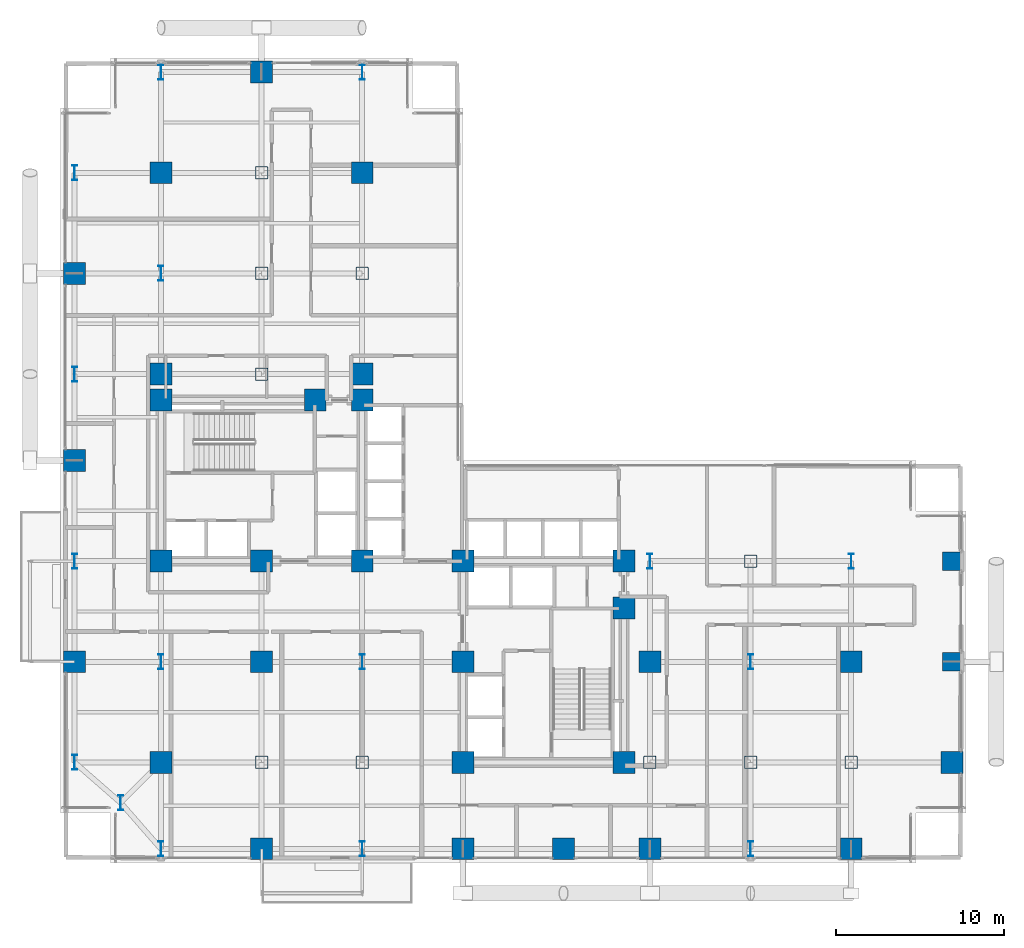
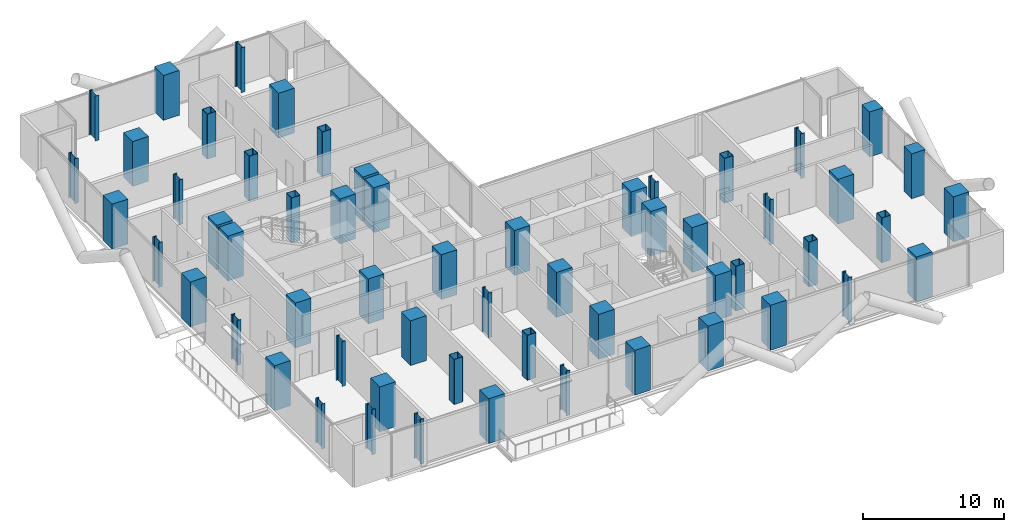
# One storey, part 1 of 25: 58 columns.
"""IFC4 building model written with IfcOpenShell, lengths in metres."""

import ifcopenshell
import ifcopenshell.guid

model = None  # the IFC model being written
_history = None  # IfcOwnerHistory: only IFC2X3 demands one
_inside = {}  # id of a spatial element -> (the spatial element, [elements in it])
_under = {}  # id of a project, library or spatial element -> (it, [spatial elements below it])
_declared = {}  # id of a project -> (the project, [libraries it declares])
_typed = {}  # id of a type object -> (the type object, [elements of that type])
_made_of = {}  # id of a material, layer set ... -> (it, [elements and type objects made of it])


def new_model(schema):
    """Start an empty IFC model of exactly this schema.

    Asked for "IFC4X3", IfcOpenShell would pick the latest addendum, in which some entities
    have other attributes; the version numbers below select the first issue.
    IFC2X3 requires an IfcOwnerHistory on every rooted entity: one is made here for all.
    """
    global model, _history
    if schema == "IFC4X3":
        model = ifcopenshell.file(schema_version=(4, 3, 0, 0))
    else:
        model = ifcopenshell.file(schema=schema)
    _inside.clear()
    _under.clear()
    _declared.clear()
    _typed.clear()
    _made_of.clear()
    _history = None
    if model.schema == "IFC2X3":
        org = make("IfcOrganization", Name="unknown")
        user = make(
            "IfcPersonAndOrganization",
            ThePerson=make("IfcPerson", FamilyName="unknown"),
            TheOrganization=org,
        )
        app = make(
            "IfcApplication",
            ApplicationDeveloper=org,
            Version="unknown",
            ApplicationFullName="unknown",
            ApplicationIdentifier="unknown",
        )
        _history = make(
            "IfcOwnerHistory",
            OwningUser=user,
            OwningApplication=app,
            ChangeAction="ADDED",
            CreationDate=0,
        )
    return model


def make(cls, **values):
    """One entity of the class cls with the attributes given. An attribute that is None is left unset."""
    return model.create_entity(
        cls, **{name: value for name, value in values.items() if value is not None}
    )


def rooted(cls, **values):
    """An entity with a GlobalId (a new one), such as an element, a storey or a relation."""
    return make(cls, GlobalId=ifcopenshell.guid.new(), OwnerHistory=_history, **values)


def si_unit(unit_type, name, prefix=None):
    """IfcSIUnit, for example si_unit("LENGTHUNIT", "METRE", prefix="MILLI")."""
    return make("IfcSIUnit", UnitType=unit_type, Prefix=prefix, Name=name)


def assignment(units):
    """IfcUnitAssignment: the units of a project."""
    return None if units is None else make("IfcUnitAssignment", Units=units)


def point(xyz):
    """IfcCartesianPoint."""
    return None if xyz is None else make("IfcCartesianPoint", Coordinates=xyz)


def direction(xyz):
    """IfcDirection."""
    return None if xyz is None else make("IfcDirection", DirectionRatios=xyz)


def frame(location, z_axis=None, x_axis=None):
    """IfcAxis2Placement3D, a coordinate frame: its origin and axes. An axis left out is left unset."""
    return make(
        "IfcAxis2Placement3D",
        Location=point(location),
        Axis=direction(z_axis),
        RefDirection=direction(x_axis),
    )


def frame_2d(location, x_axis=None):
    """IfcAxis2Placement2D, a coordinate frame in the plane: its origin and x axis."""
    return make(
        "IfcAxis2Placement2D", Location=point(location), RefDirection=direction(x_axis)
    )


def origin():
    """The frame at (0, 0, 0) with its axes left unset."""
    return frame((0.0, 0.0, 0.0))


def origin_2d():
    """The frame at (0, 0) in the plane with its x axis left unset."""
    return frame_2d((0.0, 0.0))


def place(relative_to, where):
    """IfcLocalPlacement: puts the frame where relative to a parent placement (None: the world)."""
    return make(
        "IfcLocalPlacement", PlacementRelTo=relative_to, RelativePlacement=where
    )


def context(
    kind, dimensions, precision=None, world=None, true_north=None, identifier=None
):
    """IfcGeometricRepresentationContext, for example the 3D "Model" context."""
    return make(
        "IfcGeometricRepresentationContext",
        ContextIdentifier=identifier,
        ContextType=kind,
        CoordinateSpaceDimension=dimensions,
        Precision=precision,
        WorldCoordinateSystem=world,
        TrueNorth=true_north,
    )


def subcontext(parent, identifier, kind, view, scale=None):
    """IfcGeometricRepresentationSubContext, for example "Body" below "Model"."""
    return make(
        "IfcGeometricRepresentationSubContext",
        ContextIdentifier=identifier,
        ContextType=kind,
        ParentContext=parent,
        TargetScale=scale,
        TargetView=view,
    )


def project(units=None, contexts=None):
    """IfcProject with its units and contexts."""
    return rooted(
        "IfcProject",
        Name="project",
        RepresentationContexts=contexts,
        UnitsInContext=assignment(units),
    )


def spatial(cls, under=None, at=None, **own):
    """A site, building, storey or space (cls), placed at a placement, below another one or the project."""
    s = rooted(cls, ObjectPlacement=at, **own)
    if under is not None:
        _under.setdefault(under.id(), (under, []))[1].append(s)
    return s


def profile(cls, at=None, kind="AREA", **sizes):
    """A parametric profile (cls). Its sizes go by their IFC names, for example OverallWidth=200.0."""
    return make(cls, ProfileType=kind, Position=at, **sizes)


def rectangle(**sizes):
    """IfcRectangleProfileDef."""
    return profile("IfcRectangleProfileDef", **sizes)


def hollow_rectangle(**sizes):
    """IfcRectangleHollowProfileDef."""
    return profile("IfcRectangleHollowProfileDef", **sizes)


def i_section(**sizes):
    """IfcIShapeProfileDef."""
    return profile("IfcIShapeProfileDef", **sizes)


def extrude(swept, where, along, depth):
    """IfcExtrudedAreaSolid: the profile swept, set in the frame where, extruded along a direction by depth."""
    return make(
        "IfcExtrudedAreaSolid",
        SweptArea=swept,
        Position=where,
        ExtrudedDirection=direction(along),
        Depth=depth,
    )


def shape(context_of_items, identifier, shape_type, items):
    """IfcShapeRepresentation: the items that make up one representation, for example the "Body"."""
    return make(
        "IfcShapeRepresentation",
        ContextOfItems=context_of_items,
        RepresentationIdentifier=identifier,
        RepresentationType=shape_type,
        Items=items,
    )


def material(Name=None, Category=None):
    """IfcMaterial."""
    return make("IfcMaterial", Name=Name, Category=Category)


def material_profile(
    of_material, cross_section, Name=None, Category=None, Priority=None
):
    """IfcMaterialProfile: a cross section and its material."""
    return make(
        "IfcMaterialProfile",
        Name=Name,
        Material=of_material,
        Profile=cross_section,
        Priority=Priority,
        Category=Category,
    )


def profile_set(profiles, Name=None, composite=None):
    """IfcMaterialProfileSet."""
    return make(
        "IfcMaterialProfileSet",
        Name=Name,
        MaterialProfiles=profiles,
        CompositeProfile=composite,
    )


def made_of(thing, what):
    """Note that an element or type object is made of a material, layer set ...; save() writes the relation."""
    if what is not None:
        _made_of.setdefault(what.id(), (what, []))[1].append(thing)
    return thing


def type_object(cls, material=None, **own):
    """A type object (cls), such as IfcWallType, which elements share."""
    return made_of(rooted(cls, **own), material)


def element(
    cls,
    number,
    at=None,
    inside=None,
    cuts=None,
    type_object=None,
    material=None,
    context=None,
    identifier="Body",
    shape_type=None,
    held_by="IfcProductDefinitionShape",
    body=None,
    shapes=None,
    **own,
):
    """One element of the class cls, such as IfcWall. Its Tag is "e" and its number.

    at: its placement. inside: the storey or other place that contains it. cuts: it is an
    opening in that element (IfcRelVoidsElement). A single representation is given by context,
    identifier, shape_type and body (its items); several are given by shapes. held_by: the class
    of the entity that holds the representations. save() writes the other relations.
    """
    e = rooted(cls, Tag="e%d" % number, ObjectPlacement=at, **own)
    if body is not None:
        shapes = [shape(context, identifier, shape_type, body)]
    if shapes is not None:
        e.Representation = make(held_by, Representations=shapes)
    if inside is not None:
        _inside.setdefault(inside.id(), (inside, []))[1].append(e)
    if cuts is not None:
        rooted(
            "IfcRelVoidsElement", RelatingBuildingElement=cuts, RelatedOpeningElement=e
        )
    if type_object is not None:
        _typed.setdefault(type_object.id(), (type_object, []))[1].append(e)
    return made_of(e, material)


def aggregate(whole, parts):
    """IfcRelAggregates: a whole, such as a stair, and the parts it consists of."""
    return rooted("IfcRelAggregates", RelatingObject=whole, RelatedObjects=parts)


def save(model, path):
    """Write the relations noted so far, then the file.

    IfcRelAggregates (storeys below a building ...), IfcRelContainedInSpatialStructure (elements
    in a storey), IfcRelDefinesByType, IfcRelAssociatesMaterial and IfcRelDeclares: one each for
    every whole, place, type object, material and project.
    """
    for whole, parts in _under.values():
        aggregate(whole, parts)
    for where, things in _inside.values():
        rooted(
            "IfcRelContainedInSpatialStructure",
            RelatedElements=things,
            RelatingStructure=where,
        )
    for kind, things in _typed.values():
        rooted("IfcRelDefinesByType", RelatedObjects=things, RelatingType=kind)
    for what, things in _made_of.values():
        rooted("IfcRelAssociatesMaterial", RelatedObjects=things, RelatingMaterial=what)
    for by, libraries in _declared.values():
        rooted("IfcRelDeclares", RelatingContext=by, RelatedDefinitions=libraries)
    model.write(path)


model = new_model("IFC4")

# Units and contexts
model_context = context("Model", 3, precision=1e-05, world=origin(), true_north=direction((0.0, 1.0)))
body_context = subcontext(model_context, "Body", "Model", "MODEL_VIEW")
ifc_project = project(units=[si_unit("LENGTHUNIT", "METRE"), si_unit("AREAUNIT", "SQUARE_METRE"), si_unit("VOLUMEUNIT", "CUBIC_METRE"), si_unit("PLANEANGLEUNIT", "RADIAN"), si_unit("MASSUNIT", "GRAM", prefix="KILO"), si_unit("THERMODYNAMICTEMPERATUREUNIT", "KELVIN"), si_unit("POWERUNIT", "WATT")], contexts=[model_context])

# Site, building, storey
site_placement = place(None, origin())
site = spatial("IfcSite", under=ifc_project, at=site_placement, CompositionType="ELEMENT")
building_placement = place(site_placement, origin())
building = spatial("IfcBuilding", under=site, at=building_placement, Name="Svarakhadi Broadcast Tower", CompositionType="ELEMENT")
storey_placement = place(building_placement, frame((0.0, 0.0, 83.10009765625)))
storey = spatial("IfcBuildingStorey", under=building, at=storey_placement, Name="L19", CompositionType="ELEMENT", Elevation=83.10009765625)

# Columns
ifc_material_1 = material(Name="Steel S460ML (IS 2062 E450BR)", Category="steel")
ifc_material_profile_1 = material_profile(ifc_material_1, hollow_rectangle(XDim=0.75, YDim=0.75, WallThickness=0.034912109375, InnerFilletRadius=0.034912109375, OuterFilletRadius=0.050048828125, at=origin_2d()), Name="BOX 750x750x35")
ifc_profile_set_1 = profile_set([ifc_material_profile_1], Name="Steel S460ML (IS 2062 E450BR)")
column_type_1 = type_object("IfcColumnType", Name="Col_BOX750", PredefinedType="COLUMN", material=ifc_profile_set_1)
for number, where, z_axis, x_axis, name in (
    (1, (12.0, 6.0, 0.0), (0.0, 0.0, 1.0), (1.0, 0.0, 0.0), "L19 Column G19"),
    (2, (12.0, 29.14990234375, 0.0), (0.0, 0.0, 1.0), (1.0, 0.0, 0.0), "L19 Column G21"),
    (3, (12.0, 35.14990234375, 0.0), (0.0, 0.0, 1.0), (1.0, 0.0, 0.0), "L19 Column G22"),
    (4, (12.0, 41.14990234375, 0.0), (0.0, 0.0, 1.0), (1.0, 0.0, 0.0), "L19 Column G23"),
    (5, (18.0, 6.0, 0.0), (0.0, 0.0, 1.0), (1.0, 0.0, 0.0), "L19 Column G26"),
    (6, (18.0, 35.14990234375, 0.0), (0.0, 0.0, 1.0), (1.0, 0.0, 0.0), "L19 Column G29"),
    (7, (35.14990234375, 6.0, 0.0), (0.0, 0.0, 1.0), (1.0, 0.0, 0.0), "L19 Column G39"),
    (8, (41.14990234375, 6.0, 0.0), (0.0, 0.0, 1.0), (1.0, 0.0, 0.0), "L19 Column G44"),
    (9, (41.14990234375, 18.0, 0.0), (0.0, 0.0, 1.0), (1.0, 0.0, 0.0), "L19 Column G46"),
    (10, (47.14990234375, 6.0, 0.0), (0.0, 0.0, 1.0), (1.0, 0.0, 0.0), "L19 Column G51"),
):
    element("IfcColumn", number, at=place(storey_placement, frame(where, z_axis=z_axis, x_axis=x_axis)), inside=storey, type_object=column_type_1, Name=name, PredefinedType="COLUMN", context=body_context, shape_type="SweptSolid", body=[
        extrude(hollow_rectangle(XDim=0.75, YDim=0.75, WallThickness=0.034912109375, InnerFilletRadius=0.034912109375, OuterFilletRadius=0.050048828125, at=origin_2d()), origin(), (0.0, 0.0, 1.0), 3.89990234375),
    ])
ifc_material_2 = material(Name="Concrete C50/60 (IS 456 M60)", Category="concrete")
ifc_material_profile_2 = material_profile(ifc_material_2, rectangle(XDim=1.10009765625, YDim=1.10009765625, at=origin_2d()), Name="RC 1100x1100")
ifc_profile_set_2 = profile_set([ifc_material_profile_2], Name="Concrete C50/60 (IS 456 M60)")
column_type_2 = type_object("IfcColumnType", Name="Col_RC1100", PredefinedType="COLUMN", material=ifc_profile_set_2)
for number, where, z_axis, x_axis, name in (
    (11, (53.14990234375, 12.0, 0.0), (0.0, 0.0, 1.0), (1.0, 0.0, 0.0), "L19 Zone-1 East Stack Column ZT02"),
    (12, (53.14990234375, 18.0, 0.0), (0.0, 0.0, 1.0), (1.0, 0.0, 0.0), "L19 Zone-1 East Stack Column ZT03"),
):
    element("IfcColumn", number, at=place(storey_placement, frame(where, z_axis=z_axis, x_axis=x_axis)), inside=storey, type_object=column_type_2, Name=name, PredefinedType="COLUMN", context=body_context, shape_type="SweptSolid", body=[
        extrude(rectangle(XDim=1.10009765625, YDim=1.10009765625, at=origin_2d()), origin(), (0.0, 0.0, 1.0), 3.89990234375),
    ])
ifc_material_3 = material(Name="Concrete C60/75 (IS 456 M70)", Category="concrete")
ifc_material_profile_3 = material_profile(ifc_material_3, rectangle(XDim=1.300048828125, YDim=1.300048828125, at=origin_2d()), Name="RC 1300x1300")
ifc_profile_set_3 = profile_set([ifc_material_profile_3], Name="Concrete C60/75 (IS 456 M70)")
column_type_3 = type_object("IfcColumnType", Name="Col_RC1300", PredefinedType="COLUMN", material=ifc_profile_set_3)
for number, where, z_axis, x_axis, name in (
    (13, (6.0, 18.0, 0.0), (0.0, 0.0, 1.0), (1.0, 0.0, 0.0), "L19 Column CW1"),
    (14, (12.0, 18.0, 0.0), (0.0, 0.0, 1.0), (1.0, 0.0, 0.0), "L19 Column CW2"),
    (15, (18.0, 18.0, 0.0), (0.0, 0.0, 1.0), (1.0, 0.0, 0.0), "L19 Column CW3"),
    (16, (6.0, 27.60009765625, 0.0), (0.0, 0.0, 1.0), (1.0, 0.0, 0.0), "L19 Column CW4"),
    (17, (15.199951171875, 27.60009765625, 0.0), (0.0, 0.0, 1.0), (1.0, 0.0, 0.0), "L19 Column CW5"),
    (18, (18.0, 27.60009765625, 0.0), (0.0, 0.0, 1.0), (1.0, 0.0, 0.0), "L19 Column CW6"),
    (19, (24.0, 6.0, 0.0), (0.0, 0.0, 1.0), (1.0, 0.0, 0.0), "L19 Column CE1"),
    (20, (24.0, 12.0, 0.0), (0.0, 0.0, 1.0), (1.0, 0.0, 0.0), "L19 Column CE2"),
    (21, (24.0, 18.0, 0.0), (0.0, 0.0, 1.0), (1.0, 0.0, 0.0), "L19 Column CE3"),
    (22, (33.60009765625, 6.0, 0.0), (0.0, 0.0, 1.0), (1.0, 0.0, 0.0), "L19 Column CE4"),
    (23, (33.60009765625, 15.199951171875, 0.0), (0.0, 0.0, 1.0), (1.0, 0.0, 0.0), "L19 Column CE5"),
    (24, (33.60009765625, 18.0, 0.0), (0.0, 0.0, 1.0), (1.0, 0.0, 0.0), "L19 Column CE6"),
    (25, (0.85009765625, 12.0, 0.0), (0.0, 0.0, 1.0), (1.0, 0.0, 0.0), "L19 Column G04"),
    (26, (0.85009765625, 24.0, 0.0), (0.0, 0.0, 1.0), (1.0, 0.0, 0.0), "L19 Column G06"),
    (27, (0.85009765625, 35.14990234375, 0.0), (0.0, 0.0, 1.0), (1.0, 0.0, 0.0), "L19 Column G08"),
    (28, (6.0, 6.0, 0.0), (0.0, 0.0, 1.0), (1.0, 0.0, 0.0), "L19 Column G12"),
    (29, (6.0, 29.14990234375, 0.0), (0.0, 0.0, 1.0), (1.0, 0.0, 0.0), "L19 Column G14"),
    (30, (6.0, 41.14990234375, 0.0), (0.0, 0.0, 1.0), (1.0, 0.0, 0.0), "L19 Column G16"),
    (31, (12.0, 0.85009765625, 0.0), (0.0, 0.0, 1.0), (1.0, 0.0, 0.0), "L19 Column G18"),
    (32, (12.0, 12.0, 0.0), (0.0, 0.0, 1.0), (1.0, 0.0, 0.0), "L19 Column G20"),
    (33, (12.0, 47.14990234375, 0.0), (0.0, 0.0, 1.0), (1.0, 0.0, 0.0), "L19 Column G24"),
    (34, (18.0, 29.14990234375, 0.0), (0.0, 0.0, 1.0), (1.0, 0.0, 0.0), "L19 Column G28"),
    (35, (18.0, 41.14990234375, 0.0), (0.0, 0.0, 1.0), (1.0, 0.0, 0.0), "L19 Column G30"),
    (36, (24.0, 0.85009765625, 0.0), (0.0, 0.0, 1.0), (1.0, 0.0, 0.0), "L19 Column G32"),
    (37, (30.0, 0.85009765625, 0.0), (0.0, 0.0, 1.0), (1.0, 0.0, 0.0), "L19 Column G36"),
    (38, (35.14990234375, 0.85009765625, 0.0), (0.0, 0.0, 1.0), (1.0, 0.0, 0.0), "L19 Column G38"),
    (39, (35.14990234375, 12.0, 0.0), (0.0, 0.0, 1.0), (1.0, 0.0, 0.0), "L19 Column G40"),
    (40, (47.14990234375, 0.85009765625, 0.0), (0.0, 0.0, 1.0), (1.0, 0.0, 0.0), "L19 Column G50"),
    (41, (47.14990234375, 12.0, 0.0), (0.0, 0.0, 1.0), (1.0, 0.0, 0.0), "L19 Column G52"),
    (42, (53.14990234375, 6.0, 0.0), (0.0, 0.0, 1.0), (1.0, 0.0, 0.0), "L19 Column G58"),
):
    element("IfcColumn", number, at=place(storey_placement, frame(where, z_axis=z_axis, x_axis=x_axis)), inside=storey, type_object=column_type_3, Name=name, PredefinedType="COLUMN", context=body_context, shape_type="SweptSolid", body=[
        extrude(rectangle(XDim=1.300048828125, YDim=1.300048828125, at=origin_2d()), origin(), (0.0, 0.0, 1.0), 3.89990234375),
    ])
ifc_material_profile_4 = material_profile(ifc_material_1, i_section(OverallWidth=0.300048828125, OverallDepth=0.89990234375, WebThickness=0.0185546875, FlangeThickness=0.034912109375, FilletRadius=0.030029296875, at=origin_2d()), Name="WPB 900x300x291")
ifc_profile_set_4 = profile_set([ifc_material_profile_4], Name="Steel S460ML (IS 2062 E450BR)")
column_type_4 = type_object("IfcColumnType", Name="Col_WPB900", PredefinedType="COLUMN", material=ifc_profile_set_4)
for number, where, z_axis, x_axis, name in (
    (43, (3.60009765625, 3.60009765625, 0.0), (0.0, 0.0, 1.0), (1.0, 0.0, 0.0), "L19 Column G01"),
    (44, (0.85009765625, 6.0, 0.0), (0.0, 0.0, 1.0), (1.0, 0.0, 0.0), "L19 Column G03"),
    (45, (0.85009765625, 18.0, 0.0), (0.0, 0.0, 1.0), (1.0, 0.0, 0.0), "L19 Column G05"),
    (46, (0.85009765625, 29.14990234375, 0.0), (0.0, 0.0, 1.0), (1.0, 0.0, 0.0), "L19 Column G07"),
    (47, (0.85009765625, 41.14990234375, 0.0), (0.0, 0.0, 1.0), (1.0, 0.0, 0.0), "L19 Column G09"),
    (48, (6.0, 0.85009765625, 0.0), (0.0, 0.0, 1.0), (1.0, 0.0, 0.0), "L19 Column G11"),
    (49, (6.0, 12.0, 0.0), (0.0, 0.0, 1.0), (1.0, 0.0, 0.0), "L19 Column G13"),
    (50, (6.0, 35.14990234375, 0.0), (0.0, 0.0, 1.0), (1.0, 0.0, 0.0), "L19 Column G15"),
    (51, (6.0, 47.14990234375, 0.0), (0.0, 0.0, 1.0), (1.0, 0.0, 0.0), "L19 Column G17"),
    (52, (18.0, 0.85009765625, 0.0), (0.0, 0.0, 1.0), (1.0, 0.0, 0.0), "L19 Column G25"),
    (53, (18.0, 12.0, 0.0), (0.0, 0.0, 1.0), (1.0, 0.0, 0.0), "L19 Column G27"),
    (54, (18.0, 47.14990234375, 0.0), (0.0, 0.0, 1.0), (1.0, 0.0, 0.0), "L19 Column G31"),
    (55, (35.14990234375, 18.0, 0.0), (0.0, 0.0, 1.0), (1.0, 0.0, 0.0), "L19 Column G41"),
    (56, (41.14990234375, 0.85009765625, 0.0), (0.0, 0.0, 1.0), (1.0, 0.0, 0.0), "L19 Column G43"),
    (57, (41.14990234375, 12.0, 0.0), (0.0, 0.0, 1.0), (1.0, 0.0, 0.0), "L19 Column G45"),
    (58, (47.14990234375, 18.0, 0.0), (0.0, 0.0, 1.0), (1.0, 0.0, 0.0), "L19 Column G53"),
):
    element("IfcColumn", number, at=place(storey_placement, frame(where, z_axis=z_axis, x_axis=x_axis)), inside=storey, type_object=column_type_4, Name=name, PredefinedType="COLUMN", context=body_context, shape_type="SweptSolid", body=[
        extrude(i_section(OverallWidth=0.300048828125, OverallDepth=0.89990234375, WebThickness=0.0185546875, FlangeThickness=0.034912109375, FilletRadius=0.030029296875, at=origin_2d()), origin(), (0.0, 0.0, 1.0), 3.89990234375),
    ])

save(model, "model.ifc")
